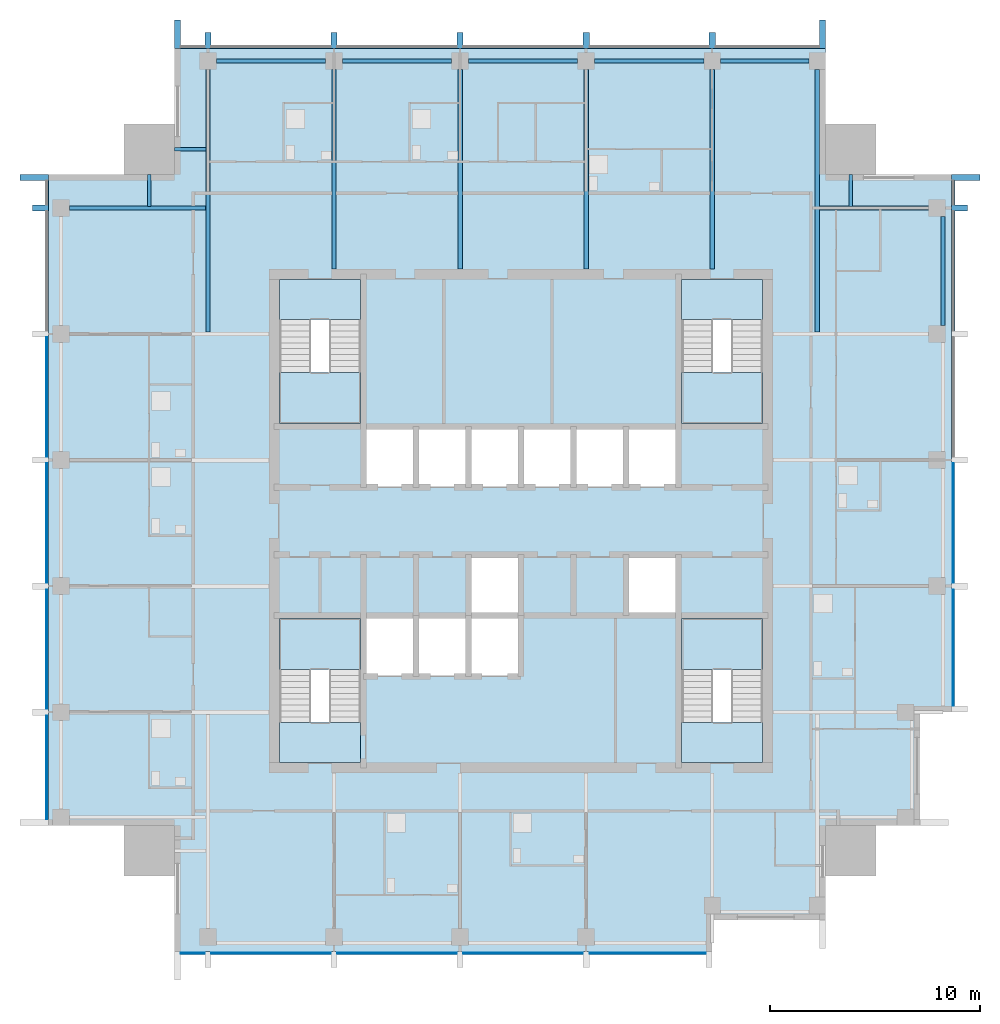
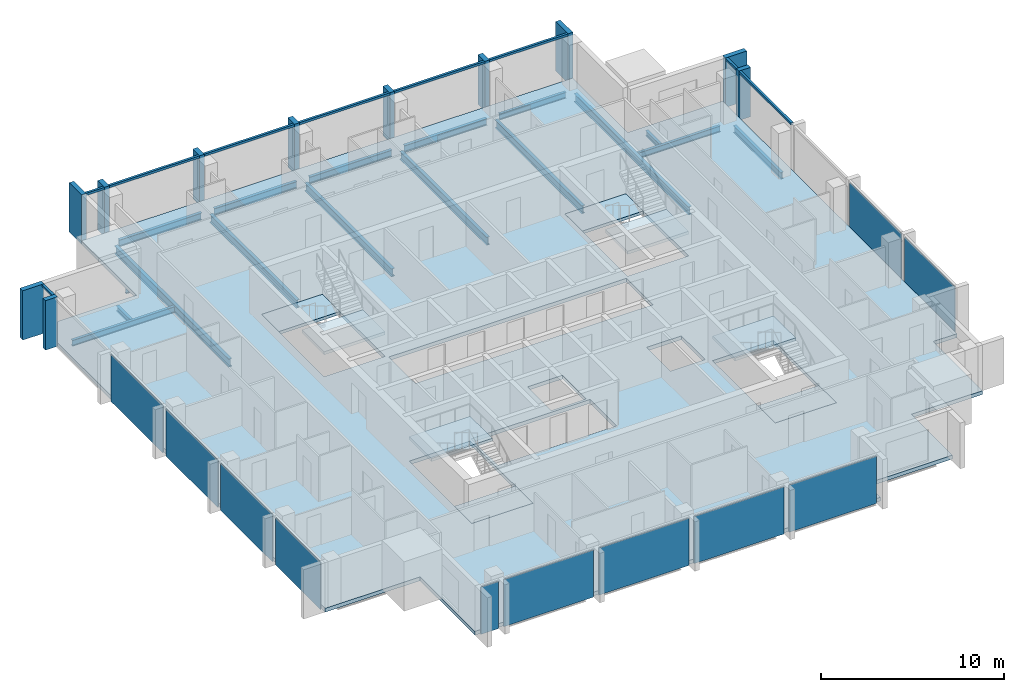
# One storey, part 2 of 9: 20 members, 17 beams, 11 plates, 9 slabs, 8 elements without a shape of their own.
"""IFC4 building model written with IfcOpenShell, lengths in metres."""

from ifc_helpers import new_model, si_unit, direction, frame, origin, origin_2d, place, context, subcontext, project, spatial, polyline, rectangle, i_section, outline, extrude, material, layer, layer_set, material_profile, profile_set, type_object, element, aggregate, save


model = new_model("IFC4")

# Units and contexts
model_context = context("Model", 3, precision=1e-05, world=origin(), true_north=direction((0.0, 1.0)))
body_context = subcontext(model_context, "Body", "Model", "MODEL_VIEW")
ifc_project = project(units=[si_unit("LENGTHUNIT", "METRE"), si_unit("AREAUNIT", "SQUARE_METRE"), si_unit("VOLUMEUNIT", "CUBIC_METRE"), si_unit("PLANEANGLEUNIT", "RADIAN"), si_unit("MASSUNIT", "GRAM", prefix="KILO")], contexts=[model_context])

# Site, building, storey
site_placement = place(None, origin())
site = spatial("IfcSite", under=ifc_project, at=site_placement, CompositionType="ELEMENT")
building_placement = place(site_placement, origin())
building = spatial("IfcBuilding", under=site, at=building_placement, Name="Amberfall Residences", CompositionType="ELEMENT")
storey_placement = place(building_placement, frame((0.0, 0.0, 252.10009765625)))
storey = spatial("IfcBuildingStorey", under=building, at=storey_placement, Name="L67", CompositionType="ELEMENT", Elevation=252.10009765625)

# Curtain wall, members
ifc_material_1 = material(Name="Bronze anodised aluminium and glass", Category="aluminium")
curtain_wall_type = type_object("IfcCurtainWallType", Name="Curtain wall CW1 tower unit", PredefinedType="USERDEFINED", material=ifc_material_1)
curtain_wall_1_placement = place(storey_placement, origin())
curtain_wall_1 = element("IfcCurtainWall", 1, at=curtain_wall_1_placement, inside=storey, type_object=curtain_wall_type, Name="Curtain wall L67 E E3", ObjectType="UNITISED CURTAIN WALL", PredefinedType="USERDEFINED")
ifc_material_2 = material(Name="Bronze anodised aluminium", Category="aluminium")
ifc_material_profile_1 = material_profile(ifc_material_2, rectangle(XDim=0.14990234375, YDim=0.14990234375, at=origin_2d()), Name="CW1 transom 150 x 150 bronze")
ifc_profile_set_1 = profile_set([ifc_material_profile_1], Name="Bronze anodised aluminium")
member_type_1 = type_object("IfcMemberType", Name="CW1 transom 150 x 150 bronze", PredefinedType="USERDEFINED", material=ifc_profile_set_1)
member_1_placement = place(storey_placement, frame((95.074951171875, 54.550048828125, 2.974853515625), z_axis=(0.0, 1.0, 0.0), x_axis=(-1.0, 0.0, 0.0)))
member_1 = element("IfcMember", 2, at=member_1_placement, type_object=member_type_1, Name="CW1 transom 4.1", ObjectType="TRANSOM", PredefinedType="USERDEFINED", context=body_context, shape_type="SweptSolid", body=[
    extrude(rectangle(XDim=0.14990234375, YDim=0.14990234375, at=origin_2d()), origin(), (0.0, 0.0, 1.0), 5.699951171875),
])
member_2_placement = place(storey_placement, frame((95.074951171875, 60.550048828125, 2.974853515625), z_axis=(0.0, 1.0, 0.0), x_axis=(-1.0, 0.0, 0.0)))
member_2 = element("IfcMember", 3, at=member_2_placement, type_object=member_type_1, Name="CW1 transom 5.1", ObjectType="TRANSOM", PredefinedType="USERDEFINED", context=body_context, shape_type="SweptSolid", body=[
    extrude(rectangle(XDim=0.14990234375, YDim=0.14990234375, at=origin_2d()), origin(), (0.0, 0.0, 1.0), 1.14990234375),
])

curtain_wall_2_placement = place(storey_placement, origin())
curtain_wall_2 = element("IfcCurtainWall", 4, at=curtain_wall_2_placement, inside=storey, type_object=curtain_wall_type, Name="Curtain wall L67 N N1", ObjectType="UNITISED CURTAIN WALL", PredefinedType="USERDEFINED")
member_3_placement = place(storey_placement, frame((88.699951171875, 68.074951171875, 2.974853515625), z_axis=(-1.0, 0.0, 0.0), x_axis=(0.0, -1.0, 0.0)))
member_3 = element("IfcMember", 5, at=member_3_placement, type_object=member_type_1, Name="CW1 transom 1.1", ObjectType="TRANSOM", PredefinedType="USERDEFINED", context=body_context, shape_type="SweptSolid", body=[
    extrude(rectangle(XDim=0.14990234375, YDim=0.14990234375, at=origin_2d()), origin(), (0.0, 0.0, 1.0), 4.949951171875),
])
member_4_placement = place(storey_placement, frame((83.449951171875, 68.074951171875, 2.974853515625), z_axis=(-1.0, 0.0, 0.0), x_axis=(0.0, -1.0, 0.0)))
member_4 = element("IfcMember", 6, at=member_4_placement, type_object=member_type_1, Name="CW1 transom 2.1", ObjectType="TRANSOM", PredefinedType="USERDEFINED", context=body_context, shape_type="SweptSolid", body=[
    extrude(rectangle(XDim=0.14990234375, YDim=0.14990234375, at=origin_2d()), origin(), (0.0, 0.0, 1.0), 5.699951171875),
])
member_5_placement = place(storey_placement, frame((77.449951171875, 68.074951171875, 2.974853515625), z_axis=(-1.0, 0.0, 0.0), x_axis=(0.0, -1.0, 0.0)))
member_5 = element("IfcMember", 7, at=member_5_placement, type_object=member_type_1, Name="CW1 transom 3.1", ObjectType="TRANSOM", PredefinedType="USERDEFINED", context=body_context, shape_type="SweptSolid", body=[
    extrude(rectangle(XDim=0.14990234375, YDim=0.14990234375, at=origin_2d()), origin(), (0.0, 0.0, 1.0), 5.699951171875),
])
member_6_placement = place(storey_placement, frame((71.449951171875, 68.074951171875, 2.974853515625), z_axis=(-1.0, 0.0, 0.0), x_axis=(0.0, -1.0, 0.0)))
member_6 = element("IfcMember", 8, at=member_6_placement, type_object=member_type_1, Name="CW1 transom 4.1", ObjectType="TRANSOM", PredefinedType="USERDEFINED", context=body_context, shape_type="SweptSolid", body=[
    extrude(rectangle(XDim=0.14990234375, YDim=0.14990234375, at=origin_2d()), origin(), (0.0, 0.0, 1.0), 5.699951171875),
])
member_7_placement = place(storey_placement, frame((65.449951171875, 68.074951171875, 2.974853515625), z_axis=(-1.0, 0.0, 0.0), x_axis=(0.0, -1.0, 0.0)))
member_7 = element("IfcMember", 9, at=member_7_placement, type_object=member_type_1, Name="CW1 transom 5.1", ObjectType="TRANSOM", PredefinedType="USERDEFINED", context=body_context, shape_type="SweptSolid", body=[
    extrude(rectangle(XDim=0.14990234375, YDim=0.14990234375, at=origin_2d()), origin(), (0.0, 0.0, 1.0), 5.699951171875),
])
member_8_placement = place(storey_placement, frame((59.449951171875, 68.074951171875, 2.974853515625), z_axis=(-1.0, 0.0, 0.0), x_axis=(0.0, -1.0, 0.0)))
member_8 = element("IfcMember", 10, at=member_8_placement, type_object=member_type_1, Name="CW1 transom 6.1", ObjectType="TRANSOM", PredefinedType="USERDEFINED", context=body_context, shape_type="SweptSolid", body=[
    extrude(rectangle(XDim=0.14990234375, YDim=0.14990234375, at=origin_2d()), origin(), (0.0, 0.0, 1.0), 1.14990234375),
])

# Curtain wall, member
curtain_wall_3_placement = place(storey_placement, origin())
curtain_wall_3 = element("IfcCurtainWall", 11, at=curtain_wall_3_placement, inside=storey, type_object=curtain_wall_type, Name="Curtain wall L67 W W1", ObjectType="UNITISED CURTAIN WALL", PredefinedType="USERDEFINED")
member_9_placement = place(storey_placement, frame((51.925048828125, 61.699951171875, 2.974853515625), z_axis=(0.0, -1.0, 0.0), x_axis=(1.0, 0.0, 0.0)))
member_9 = element("IfcMember", 12, at=member_9_placement, type_object=member_type_1, Name="CW1 transom 1.1", ObjectType="TRANSOM", PredefinedType="USERDEFINED", context=body_context, shape_type="SweptSolid", body=[
    extrude(rectangle(XDim=0.14990234375, YDim=0.14990234375, at=origin_2d()), origin(), (0.0, 0.0, 1.0), 1.14990234375),
])

# Member
ifc_material_profile_2 = material_profile(ifc_material_2, rectangle(XDim=1.35009765625, YDim=0.300048828125, at=origin_2d()), Name="Corner fin 300 x 1350 bronze")
ifc_profile_set_2 = profile_set([ifc_material_profile_2], Name="Bronze anodised aluminium")
member_type_2 = type_object("IfcMemberType", Name="Corner fin 300 x 1350 bronze", PredefinedType="MULLION", material=ifc_profile_set_2)
member_10_placement = place(storey_placement, frame((95.675048828125, 61.85009765625, -0.25), z_axis=(0.0, 0.0, 1.0), x_axis=(-1.0, 0.0, 0.0)))
member_10 = element("IfcMember", 13, at=member_10_placement, type_object=member_type_2, Name="CW FIN 6", PredefinedType="MULLION", context=body_context, shape_type="SweptSolid", body=[
    extrude(rectangle(XDim=1.35009765625, YDim=0.300048828125, at=origin_2d()), origin(), (0.0, 0.0, 1.0), 3.2998046875),
])

member_11_placement = place(storey_placement, frame((88.85009765625, 68.675048828125, -0.25), z_axis=(0.0, 0.0, 1.0), x_axis=(0.0, -1.0, 0.0)))
member_11 = element("IfcMember", 14, at=member_11_placement, type_object=member_type_2, Name="CW FIN 1", PredefinedType="MULLION", context=body_context, shape_type="SweptSolid", body=[
    extrude(rectangle(XDim=1.35009765625, YDim=0.300048828125, at=origin_2d()), origin(), (0.0, 0.0, 1.0), 3.2998046875),
])

member_12_placement = place(storey_placement, frame((58.14990234375, 68.675048828125, -0.25), z_axis=(0.0, 0.0, 1.0), x_axis=(0.0, -1.0, 0.0)))
member_12 = element("IfcMember", 15, at=member_12_placement, type_object=member_type_2, Name="CW FIN 7", PredefinedType="MULLION", context=body_context, shape_type="SweptSolid", body=[
    extrude(rectangle(XDim=1.35009765625, YDim=0.300048828125, at=origin_2d()), origin(), (0.0, 0.0, 1.0), 3.2998046875),
])

member_13_placement = place(storey_placement, frame((51.324951171875, 61.85009765625, -0.25), z_axis=(0.0, 0.0, 1.0), x_axis=(1.0, 0.0, 0.0)))
member_13 = element("IfcMember", 16, at=member_13_placement, type_object=member_type_2, Name="CW FIN 1", PredefinedType="MULLION", context=body_context, shape_type="SweptSolid", body=[
    extrude(rectangle(XDim=1.35009765625, YDim=0.300048828125, at=origin_2d()), origin(), (0.0, 0.0, 1.0), 3.2998046875),
])

# Beams
ifc_material_3 = material(Name="Steel S355", Category="steel")
ifc_material_profile_3 = material_profile(ifc_material_3, i_section(OverallWidth=0.177734375, OverallDepth=0.402587890625, WebThickness=0.0078125, FlangeThickness=0.010986328125, FilletRadius=0.01025390625, at=origin_2d()), Name="UB 406x178x54")
ifc_profile_set_3 = profile_set([ifc_material_profile_3], Name="Steel S355")
beam_type_1 = type_object("IfcBeamType", Name="Edge beam UB 406x178x54", PredefinedType="SPANDREL", material=ifc_profile_set_3)
beam_1_placement = place(storey_placement, frame((84.0, 67.39990234375, -0.451416015625), z_axis=(1.0, 0.0, 0.0), x_axis=(0.0, 1.0, 0.0)))
element("IfcBeam", 17, at=beam_1_placement, inside=storey, type_object=beam_type_1, Name="Edge beam B14 L67 29", PredefinedType="SPANDREL", context=body_context, shape_type="SweptSolid", body=[
    extrude(i_section(OverallWidth=0.177734375, OverallDepth=0.402587890625, WebThickness=0.0078125, FlangeThickness=0.010986328125, FilletRadius=0.01025390625, at=origin_2d()), origin(), (0.0, 0.0, 1.0), 4.199951171875),
])
ifc_material_profile_4 = material_profile(ifc_material_3, i_section(OverallWidth=0.18994140625, OverallDepth=0.453369140625, WebThickness=0.008544921875, FlangeThickness=0.0126953125, FilletRadius=0.01025390625, at=origin_2d()), Name="UB 457x191x67")
ifc_profile_set_4 = profile_set([ifc_material_profile_4], Name="Steel S355")
beam_type_2 = type_object("IfcBeamType", Name="Edge beam UB 457x191x67", PredefinedType="SPANDREL", material=ifc_profile_set_4)
for number, where, z_axis, x_axis, name in (
    (18, (94.60009765625, 54.800048828125, -0.476806640625), (0.0, 1.0, 0.0), (-1.0, 0.0, 0.0), "Edge beam B1 L67 17"),
    (19, (60.0, 67.39990234375, -0.476806640625), (1.0, 0.0, 0.0), (0.0, 1.0, 0.0), "Edge beam B1 L67 25"),
    (20, (66.0, 67.39990234375, -0.476806640625), (1.0, 0.0, 0.0), (0.0, 1.0, 0.0), "Edge beam B1 L67 26"),
    (21, (72.0, 67.39990234375, -0.476806640625), (1.0, 0.0, 0.0), (0.0, 1.0, 0.0), "Edge beam B1 L67 27"),
    (22, (78.0, 67.39990234375, -0.476806640625), (1.0, 0.0, 0.0), (0.0, 1.0, 0.0), "Edge beam B1 L67 28"),
):
    element("IfcBeam", number, at=place(storey_placement, frame(where, z_axis=z_axis, x_axis=x_axis)), inside=storey, type_object=beam_type_2, Name=name, PredefinedType="SPANDREL", context=body_context, shape_type="SweptSolid", body=[
        extrude(i_section(OverallWidth=0.18994140625, OverallDepth=0.453369140625, WebThickness=0.008544921875, FlangeThickness=0.0126953125, FilletRadius=0.01025390625, at=origin_2d()), origin(), (0.0, 0.0, 1.0), 5.199951171875),
    ])

# Member
ifc_material_profile_5 = material_profile(ifc_material_2, rectangle(XDim=0.75, YDim=0.300048828125, at=origin_2d()), Name="Fin 300 x 750 bronze")
ifc_profile_set_5 = profile_set([ifc_material_profile_5], Name="Bronze anodised aluminium")
member_type_3 = type_object("IfcMemberType", Name="Fin 300 x 750 bronze", PredefinedType="MULLION", material=ifc_profile_set_5)
member_14_placement = place(storey_placement, frame((95.375, 60.39990234375, -0.25), z_axis=(0.0, 0.0, 1.0), x_axis=(-1.0, 0.0, 0.0)))
member_14 = element("IfcMember", 23, at=member_14_placement, type_object=member_type_3, Name="CW FIN 5", PredefinedType="MULLION", context=body_context, shape_type="SweptSolid", body=[
    extrude(rectangle(XDim=0.75, YDim=0.300048828125, at=origin_2d()), origin(), (0.0, 0.0, 1.0), 3.2998046875),
])

member_15_placement = place(storey_placement, frame((83.60009765625, 68.375, -0.25), z_axis=(0.0, 0.0, 1.0), x_axis=(0.0, -1.0, 0.0)))
member_15 = element("IfcMember", 24, at=member_15_placement, type_object=member_type_3, Name="CW FIN 2", PredefinedType="MULLION", context=body_context, shape_type="SweptSolid", body=[
    extrude(rectangle(XDim=0.75, YDim=0.300048828125, at=origin_2d()), origin(), (0.0, 0.0, 1.0), 3.2998046875),
])

member_16_placement = place(storey_placement, frame((77.60009765625, 68.375, -0.25), z_axis=(0.0, 0.0, 1.0), x_axis=(0.0, -1.0, 0.0)))
member_16 = element("IfcMember", 25, at=member_16_placement, type_object=member_type_3, Name="CW FIN 3", PredefinedType="MULLION", context=body_context, shape_type="SweptSolid", body=[
    extrude(rectangle(XDim=0.75, YDim=0.300048828125, at=origin_2d()), origin(), (0.0, 0.0, 1.0), 3.2998046875),
])

member_17_placement = place(storey_placement, frame((71.60009765625, 68.375, -0.25), z_axis=(0.0, 0.0, 1.0), x_axis=(0.0, -1.0, 0.0)))
member_17 = element("IfcMember", 26, at=member_17_placement, type_object=member_type_3, Name="CW FIN 4", PredefinedType="MULLION", context=body_context, shape_type="SweptSolid", body=[
    extrude(rectangle(XDim=0.75, YDim=0.300048828125, at=origin_2d()), origin(), (0.0, 0.0, 1.0), 3.2998046875),
])

member_18_placement = place(storey_placement, frame((65.60009765625, 68.375, -0.25), z_axis=(0.0, 0.0, 1.0), x_axis=(0.0, -1.0, 0.0)))
member_18 = element("IfcMember", 27, at=member_18_placement, type_object=member_type_3, Name="CW FIN 5", PredefinedType="MULLION", context=body_context, shape_type="SweptSolid", body=[
    extrude(rectangle(XDim=0.75, YDim=0.300048828125, at=origin_2d()), origin(), (0.0, 0.0, 1.0), 3.2998046875),
])

member_19_placement = place(storey_placement, frame((59.60009765625, 68.375, -0.25), z_axis=(0.0, 0.0, 1.0), x_axis=(0.0, -1.0, 0.0)))
member_19 = element("IfcMember", 28, at=member_19_placement, type_object=member_type_3, Name="CW FIN 6", PredefinedType="MULLION", context=body_context, shape_type="SweptSolid", body=[
    extrude(rectangle(XDim=0.75, YDim=0.300048828125, at=origin_2d()), origin(), (0.0, 0.0, 1.0), 3.2998046875),
])

aggregate(curtain_wall_2, [member_11, member_15, member_16, member_17, member_18, member_19, member_12, member_3, member_4, member_5, member_6, member_7, member_8])

member_20_placement = place(storey_placement, frame((51.625, 60.39990234375, -0.25), z_axis=(0.0, 0.0, 1.0), x_axis=(1.0, 0.0, 0.0)))
member_20 = element("IfcMember", 29, at=member_20_placement, type_object=member_type_3, Name="CW FIN 2", PredefinedType="MULLION", context=body_context, shape_type="SweptSolid", body=[
    extrude(rectangle(XDim=0.75, YDim=0.300048828125, at=origin_2d()), origin(), (0.0, 0.0, 1.0), 3.2998046875),
])

# Beams
ifc_material_profile_6 = material_profile(ifc_material_3, i_section(OverallWidth=0.177734375, OverallDepth=0.402587890625, WebThickness=0.0078125, FlangeThickness=0.010986328125, FilletRadius=0.01025390625, at=origin_2d()), Name="UB 406x178x54")
ifc_profile_set_6 = profile_set([ifc_material_profile_6], Name="Steel S355")
beam_type_3 = type_object("IfcBeamType", Name="Floor girder UB 406x178x54", PredefinedType="BEAM", material=ifc_profile_set_6)
beam_2_placement = place(storey_placement, frame((93.89990234375, 60.39990234375, -0.451416015625), z_axis=(-1.0, 0.0, 0.0), x_axis=(0.0, -1.0, 0.0)))
element("IfcBeam", 30, at=beam_2_placement, inside=storey, type_object=beam_type_3, Name="Floor girder B4 L67 24", PredefinedType="BEAM", context=body_context, shape_type="SweptSolid", body=[
    extrude(i_section(OverallWidth=0.177734375, OverallDepth=0.402587890625, WebThickness=0.0078125, FlangeThickness=0.010986328125, FilletRadius=0.01025390625, at=origin_2d()), origin(), (0.0, 0.0, 1.0), 5.179931640625),
])
beam_3_placement = place(storey_placement, frame((53.0, 60.39990234375, -0.451416015625), z_axis=(1.0, 0.0, 0.0), x_axis=(0.0, 1.0, 0.0)))
element("IfcBeam", 31, at=beam_3_placement, inside=storey, type_object=beam_type_3, Name="Floor girder B4 L67 46", PredefinedType="BEAM", context=body_context, shape_type="SweptSolid", body=[
    extrude(i_section(OverallWidth=0.177734375, OverallDepth=0.402587890625, WebThickness=0.0078125, FlangeThickness=0.010986328125, FilletRadius=0.01025390625, at=origin_2d()), origin(), (0.0, 0.0, 1.0), 6.47998046875),
])
ifc_material_profile_7 = material_profile(ifc_material_3, i_section(OverallWidth=0.210693359375, OverallDepth=0.53955078125, WebThickness=0.01171875, FlangeThickness=0.018798828125, FilletRadius=0.0126953125, at=origin_2d()), Name="UB 533x210x109")
ifc_profile_set_7 = profile_set([ifc_material_profile_7], Name="Steel S355")
beam_type_4 = type_object("IfcBeamType", Name="Floor girder UB 533x210x109", PredefinedType="BEAM", material=ifc_profile_set_7)
beam_4_placement = place(storey_placement, frame((59.60009765625, 67.0, -0.519775390625), z_axis=(0.0, -1.0, 0.0), x_axis=(1.0, 0.0, 0.0)))
element("IfcBeam", 32, at=beam_4_placement, inside=storey, type_object=beam_type_4, Name="Floor girder B2 L67 30", PredefinedType="BEAM", context=body_context, shape_type="SweptSolid", body=[
    extrude(i_section(OverallWidth=0.210693359375, OverallDepth=0.53955078125, WebThickness=0.01171875, FlangeThickness=0.018798828125, FilletRadius=0.0126953125, at=origin_2d()), origin(), (0.0, 0.0, 1.0), 12.50048828125),
])
beam_5_placement = place(storey_placement, frame((88.60009765625, 67.0, -0.519775390625), z_axis=(0.0, -1.0, 0.0), x_axis=(1.0, 0.0, 0.0)))
element("IfcBeam", 33, at=beam_5_placement, inside=storey, type_object=beam_type_4, Name="Floor girder B2 L67 35", PredefinedType="BEAM", context=body_context, shape_type="SweptSolid", body=[
    extrude(i_section(OverallWidth=0.210693359375, OverallDepth=0.53955078125, WebThickness=0.01171875, FlangeThickness=0.018798828125, FilletRadius=0.0126953125, at=origin_2d()), origin(), (0.0, 0.0, 1.0), 12.509521484375),
])
ifc_material_profile_8 = material_profile(ifc_material_3, i_section(OverallWidth=0.209228515625, OverallDepth=0.533203125, WebThickness=0.010009765625, FlangeThickness=0.015625, FilletRadius=0.0126953125, at=origin_2d()), Name="UB 533x210x92")
ifc_profile_set_8 = profile_set([ifc_material_profile_8], Name="Steel S355")
beam_type_5 = type_object("IfcBeamType", Name="Floor girder UB 533x210x92", PredefinedType="BEAM", material=ifc_profile_set_8)
for number, where, z_axis, x_axis, name in (
    (34, (65.60009765625, 67.0, -0.5166015625), (0.0, -1.0, 0.0), (1.0, 0.0, 0.0), "Floor girder B3 L67 31"),
    (35, (71.60009765625, 67.0, -0.5166015625), (0.0, -1.0, 0.0), (1.0, 0.0, 0.0), "Floor girder B3 L67 32"),
    (36, (77.60009765625, 67.0, -0.5166015625), (0.0, -1.0, 0.0), (1.0, 0.0, 0.0), "Floor girder B3 L67 33"),
    (37, (83.60009765625, 67.0, -0.5166015625), (0.0, -1.0, 0.0), (1.0, 0.0, 0.0), "Floor girder B3 L67 34"),
):
    element("IfcBeam", number, at=place(storey_placement, frame(where, z_axis=z_axis, x_axis=x_axis)), inside=storey, type_object=beam_type_5, Name=name, PredefinedType="BEAM", context=body_context, shape_type="SweptSolid", body=[
        extrude(i_section(OverallWidth=0.209228515625, OverallDepth=0.533203125, WebThickness=0.010009765625, FlangeThickness=0.015625, FilletRadius=0.0126953125, at=origin_2d()), origin(), (0.0, 0.0, 1.0), 9.5),
    ])
ifc_material_profile_9 = material_profile(ifc_material_3, i_section(OverallWidth=0.171142578125, OverallDepth=0.351318359375, WebThickness=0.007080078125, FlangeThickness=0.009765625, FilletRadius=0.01025390625, at=origin_2d()), Name="UB 356x171x45")
ifc_profile_set_9 = profile_set([ifc_material_profile_9], Name="Steel S355")
beam_type_6 = type_object("IfcBeamType", Name="Link beam UB 356x171x45", PredefinedType="BEAM", material=ifc_profile_set_9)
beam_6_placement = place(storey_placement, frame((90.199951171875, 62.0, -0.42578125), z_axis=(0.0, -1.0, 0.0), x_axis=(1.0, 0.0, 0.0)))
element("IfcBeam", 38, at=beam_6_placement, inside=storey, type_object=beam_type_6, Name="Link beam B7 L67 48", PredefinedType="BEAM", context=body_context, shape_type="SweptSolid", body=[
    extrude(i_section(OverallWidth=0.171142578125, OverallDepth=0.351318359375, WebThickness=0.007080078125, FlangeThickness=0.009765625, FilletRadius=0.01025390625, at=origin_2d()), origin(), (0.0, 0.0, 1.0), 1.52099609375),
])
beam_7_placement = place(storey_placement, frame((58.0, 63.199951171875, -0.42578125), z_axis=(1.0, 0.0, 0.0), x_axis=(0.0, 1.0, 0.0)))
element("IfcBeam", 39, at=beam_7_placement, inside=storey, type_object=beam_type_6, Name="Link beam B7 L67 49", PredefinedType="BEAM", context=body_context, shape_type="SweptSolid", body=[
    extrude(i_section(OverallWidth=0.171142578125, OverallDepth=0.351318359375, WebThickness=0.007080078125, FlangeThickness=0.009765625, FilletRadius=0.01025390625, at=origin_2d()), origin(), (0.0, 0.0, 1.0), 1.504638671875),
])
beam_8_placement = place(storey_placement, frame((56.800048828125, 62.0, -0.42578125), z_axis=(0.0, -1.0, 0.0), x_axis=(1.0, 0.0, 0.0)))
element("IfcBeam", 40, at=beam_8_placement, inside=storey, type_object=beam_type_6, Name="Link beam B7 L67 50", PredefinedType="BEAM", context=body_context, shape_type="SweptSolid", body=[
    extrude(i_section(OverallWidth=0.171142578125, OverallDepth=0.351318359375, WebThickness=0.007080078125, FlangeThickness=0.009765625, FilletRadius=0.01025390625, at=origin_2d()), origin(), (0.0, 0.0, 1.0), 1.52099609375),
])

# Curtain wall, plates
curtain_wall_4_placement = place(storey_placement, origin())
curtain_wall_4 = element("IfcCurtainWall", 41, at=curtain_wall_4_placement, inside=storey, type_object=curtain_wall_type, Name="Curtain wall L67 S S1", ObjectType="UNITISED CURTAIN WALL", PredefinedType="USERDEFINED")
ifc_material_4 = material(Name="Tinted double glazed unit", Category="glass")
ifc_layer_1 = layer(ifc_material_4, 0.035888671875)
ifc_layer_set_1 = layer_set([ifc_layer_1], Name="CW1 panel 36 glazing")
plate_type = type_object("IfcPlateType", Name="CW1 panel 36 glazing", PredefinedType="CURTAIN_PANEL", material=ifc_layer_set_1)
plate_1_placement = place(storey_placement, frame((58.875, 24.925048828125, -0.25), z_axis=(0.0, 0.0, 1.0), x_axis=(1.0, 0.0, 0.0)))
plate_1 = element("IfcPlate", 42, at=plate_1_placement, type_object=plate_type, Name="CW1 panel 1.1", PredefinedType="CURTAIN_PANEL", context=body_context, shape_type="SweptSolid", body=[
    extrude(rectangle(XDim=1.1259765625, YDim=0.035888671875, at=origin_2d()), origin(), (0.0, 0.0, 1.0), 3.14990234375),
])
plate_2_placement = place(storey_placement, frame((62.60009765625, 24.925048828125, -0.25), z_axis=(0.0, 0.0, 1.0), x_axis=(1.0, 0.0, 0.0)))
plate_2 = element("IfcPlate", 43, at=plate_2_placement, type_object=plate_type, Name="CW1 panel 2.1", PredefinedType="CURTAIN_PANEL", context=body_context, shape_type="SweptSolid", body=[
    extrude(rectangle(XDim=5.676025390625, YDim=0.035888671875, at=origin_2d()), origin(), (0.0, 0.0, 1.0), 3.14990234375),
])
plate_3_placement = place(storey_placement, frame((68.60009765625, 24.925048828125, -0.25), z_axis=(0.0, 0.0, 1.0), x_axis=(1.0, 0.0, 0.0)))
plate_3 = element("IfcPlate", 44, at=plate_3_placement, type_object=plate_type, Name="CW1 panel 3.1", PredefinedType="CURTAIN_PANEL", context=body_context, shape_type="SweptSolid", body=[
    extrude(rectangle(XDim=5.676025390625, YDim=0.035888671875, at=origin_2d()), origin(), (0.0, 0.0, 1.0), 3.14990234375),
])
plate_4_placement = place(storey_placement, frame((74.60009765625, 24.925048828125, -0.25), z_axis=(0.0, 0.0, 1.0), x_axis=(1.0, 0.0, 0.0)))
plate_4 = element("IfcPlate", 45, at=plate_4_placement, type_object=plate_type, Name="CW1 panel 4.1", PredefinedType="CURTAIN_PANEL", context=body_context, shape_type="SweptSolid", body=[
    extrude(rectangle(XDim=5.676025390625, YDim=0.035888671875, at=origin_2d()), origin(), (0.0, 0.0, 1.0), 3.14990234375),
])
plate_5_placement = place(storey_placement, frame((80.52490234375, 24.925048828125, -0.25), z_axis=(0.0, 0.0, 1.0), x_axis=(1.0, 0.0, 0.0)))
plate_5 = element("IfcPlate", 46, at=plate_5_placement, type_object=plate_type, Name="CW1 panel 5.1", PredefinedType="CURTAIN_PANEL", context=body_context, shape_type="SweptSolid", body=[
    extrude(rectangle(XDim=5.52587890625, YDim=0.035888671875, at=origin_2d()), origin(), (0.0, 0.0, 1.0), 3.14990234375),
])
aggregate(curtain_wall_4, [plate_1, plate_2, plate_3, plate_4, plate_5])

# Plate
plate_6_placement = place(storey_placement, frame((95.074951171875, 39.47509765625, -0.25), z_axis=(0.0, 0.0, 1.0), x_axis=(0.0, 1.0, 0.0)))
plate_6 = element("IfcPlate", 47, at=plate_6_placement, type_object=plate_type, Name="CW1 panel 1.1", PredefinedType="CURTAIN_PANEL", context=body_context, shape_type="SweptSolid", body=[
    extrude(rectangle(XDim=5.52587890625, YDim=0.035888671875, at=origin_2d()), origin(), (0.0, 0.0, 1.0), 3.14990234375),
])

plate_7_placement = place(storey_placement, frame((95.074951171875, 45.39990234375, -0.25), z_axis=(0.0, 0.0, 1.0), x_axis=(0.0, 1.0, 0.0)))
plate_7 = element("IfcPlate", 48, at=plate_7_placement, type_object=plate_type, Name="CW1 panel 2.1", PredefinedType="CURTAIN_PANEL", context=body_context, shape_type="SweptSolid", body=[
    extrude(rectangle(XDim=5.676025390625, YDim=0.035888671875, at=origin_2d()), origin(), (0.0, 0.0, 1.0), 3.14990234375),
])

aggregate(curtain_wall_1, [member_14, member_10, plate_6, plate_7, member_1, member_2])

plate_8_placement = place(storey_placement, frame((51.925048828125, 51.39990234375, -0.25), z_axis=(0.0, 0.0, 1.0), x_axis=(0.0, -1.0, 0.0)))
plate_8 = element("IfcPlate", 49, at=plate_8_placement, type_object=plate_type, Name="CW1 panel 3.1", PredefinedType="CURTAIN_PANEL", context=body_context, shape_type="SweptSolid", body=[
    extrude(rectangle(XDim=5.676025390625, YDim=0.035888671875, at=origin_2d()), origin(), (0.0, 0.0, 1.0), 3.14990234375),
])

plate_9_placement = place(storey_placement, frame((51.925048828125, 45.39990234375, -0.25), z_axis=(0.0, 0.0, 1.0), x_axis=(0.0, -1.0, 0.0)))
plate_9 = element("IfcPlate", 50, at=plate_9_placement, type_object=plate_type, Name="CW1 panel 4.1", PredefinedType="CURTAIN_PANEL", context=body_context, shape_type="SweptSolid", body=[
    extrude(rectangle(XDim=5.676025390625, YDim=0.035888671875, at=origin_2d()), origin(), (0.0, 0.0, 1.0), 3.14990234375),
])

plate_10_placement = place(storey_placement, frame((51.925048828125, 39.39990234375, -0.25), z_axis=(0.0, 0.0, 1.0), x_axis=(0.0, -1.0, 0.0)))
plate_10 = element("IfcPlate", 51, at=plate_10_placement, type_object=plate_type, Name="CW1 panel 5.1", PredefinedType="CURTAIN_PANEL", context=body_context, shape_type="SweptSolid", body=[
    extrude(rectangle(XDim=5.676025390625, YDim=0.035888671875, at=origin_2d()), origin(), (0.0, 0.0, 1.0), 3.14990234375),
])

plate_11_placement = place(storey_placement, frame((51.925048828125, 33.77490234375, -0.25), z_axis=(0.0, 0.0, 1.0), x_axis=(0.0, -1.0, 0.0)))
plate_11 = element("IfcPlate", 52, at=plate_11_placement, type_object=plate_type, Name="CW1 panel 6.1", PredefinedType="CURTAIN_PANEL", context=body_context, shape_type="SweptSolid", body=[
    extrude(rectangle(XDim=4.926025390625, YDim=0.035888671875, at=origin_2d()), origin(), (0.0, 0.0, 1.0), 3.14990234375),
])

aggregate(curtain_wall_3, [member_13, member_20, member_9, plate_8, plate_9, plate_10, plate_11])

# Slab
ifc_material_5 = material(Name="Concrete C50", Category="concrete")
ifc_layer_2 = layer(ifc_material_5, 0.25)
ifc_layer_set_2 = layer_set([ifc_layer_2], Name="Floor slab 250 C50")
slab_type_1 = type_object("IfcSlabType", Name="Floor slab 250 C50", PredefinedType="FLOOR", material=ifc_layer_set_2)
slab_1_placement = place(storey_placement, frame((0.0, 0.0, -0.25)))
element("IfcSlab", 53, at=slab_1_placement, inside=storey, type_object=slab_type_1, Name="Floor slab S19 L67", PredefinedType="FLOOR", context=body_context, shape_type="SweptSolid", body=[
    extrude(outline(polyline([(83.60009765625, 26.5), (83.60009765625, 25.0), (58.0, 25.0), (58.0, 31.0), (52.0, 31.0), (52.0, 62.0), (58.0, 62.0), (58.0, 68.0), (89.0, 68.0), (89.0, 62.0), (95.0, 62.0), (95.0, 36.39990234375), (93.5, 36.39990234375), (93.5, 31.0), (89.0, 31.0), (89.0, 26.5), (83.60009765625, 26.5)]), holes=[polyline([(86.0, 34.0), (86.0, 40.85009765625), (82.14990234375, 40.85009765625), (82.14990234375, 34.0), (86.0, 34.0)]), polyline([(86.0, 50.14990234375), (86.0, 57.0), (82.14990234375, 57.0), (82.14990234375, 50.14990234375), (86.0, 50.14990234375)]), polyline([(72.0, 50.0), (69.5, 50.0), (67.0, 50.0), (67.0, 47.10009765625), (69.5, 47.10009765625), (72.0, 47.10009765625), (74.5, 47.10009765625), (77.0, 47.10009765625), (79.5, 47.10009765625), (82.0, 47.10009765625), (82.0, 50.0), (79.5, 50.0), (77.0, 50.0), (74.5, 50.0), (72.0, 50.0)]), polyline([(81.85009765625, 41.14990234375), (81.85009765625, 43.75), (79.64990234375, 43.75), (79.64990234375, 41.14990234375), (81.85009765625, 41.14990234375)]), polyline([(69.5, 41.0), (67.0, 41.0), (67.0, 38.10009765625), (69.5, 38.10009765625), (72.0, 38.10009765625), (74.5, 38.10009765625), (74.5, 41.0), (72.0, 41.0), (69.5, 41.0)]), polyline([(74.35009765625, 41.14990234375), (74.35009765625, 43.75), (72.14990234375, 43.75), (72.14990234375, 41.14990234375), (74.35009765625, 41.14990234375)]), polyline([(66.85009765625, 50.14990234375), (66.85009765625, 57.0), (63.0, 57.0), (63.0, 50.14990234375), (66.85009765625, 50.14990234375)]), polyline([(66.85009765625, 40.85009765625), (63.0, 40.85009765625), (63.0, 34.0), (66.85009765625, 34.0), (66.85009765625, 40.85009765625)])]), origin(), (0.0, 0.0, 1.0), 0.25),
])

# Stair, slabs
ifc_material_6 = material(Name="Concrete C40", Category="concrete")
stair_type = type_object("IfcStairType", Name="Exit stair 20 risers 165.0 mm", PredefinedType="HALF_TURN_STAIR", material=ifc_material_6)
stair_1_placement = place(storey_placement, origin())
stair_1 = element("IfcStair", 54, at=stair_1_placement, inside=storey, type_object=stair_type, Name="L67 Exit stair 1", PredefinedType="HALF_TURN_STAIR")
ifc_layer_3 = layer(ifc_material_6, 0.199951171875)
ifc_layer_set_3 = layer_set([ifc_layer_3], Name="Stair landing 200")
slab_type_2 = type_object("IfcSlabType", Name="Stair landing 200", PredefinedType="LANDING", material=ifc_layer_set_3)
slab_2_placement = place(storey_placement, frame((0.0, 0.0, 1.449951171875)))
slab_2 = element("IfcSlab", 55, at=slab_2_placement, type_object=slab_type_2, Name="ST3 landing 1", PredefinedType="LANDING", context=body_context, shape_type="SweptSolid", body=[
    extrude(outline(polyline([(66.85009765625, 38.419921875), (66.85009765625, 40.85009765625), (63.0, 40.85009765625), (63.0, 38.419921875), (66.85009765625, 38.419921875)])), origin(), (0.0, 0.0, 1.0), 0.199951171875),
])
slab_3_placement = place(storey_placement, frame((0.0, 0.0, -0.2001953125)))
slab_3 = element("IfcSlab", 56, at=slab_3_placement, type_object=slab_type_2, Name="ST3 landing 2", PredefinedType="LANDING", context=body_context, shape_type="SweptSolid", body=[
    extrude(outline(polyline([(66.85009765625, 34.0), (66.85009765625, 35.89990234375), (63.0, 35.89990234375), (63.0, 34.0), (66.85009765625, 34.0)])), origin(), (0.0, 0.0, 1.0), 0.2001953125),
])
aggregate(stair_1, [slab_2, slab_3])

stair_2_placement = place(storey_placement, origin())
stair_2 = element("IfcStair", 57, at=stair_2_placement, inside=storey, type_object=stair_type, Name="L67 Exit stair 2", PredefinedType="HALF_TURN_STAIR")
slab_4_placement = place(storey_placement, frame((0.0, 0.0, 1.449951171875)))
slab_4 = element("IfcSlab", 58, at=slab_4_placement, type_object=slab_type_2, Name="ST3 landing 1", PredefinedType="LANDING", context=body_context, shape_type="SweptSolid", body=[
    extrude(outline(polyline([(86.0, 38.419921875), (86.0, 40.85009765625), (82.14990234375, 40.85009765625), (82.14990234375, 38.419921875), (86.0, 38.419921875)])), origin(), (0.0, 0.0, 1.0), 0.199951171875),
])
slab_5_placement = place(storey_placement, frame((0.0, 0.0, -0.2001953125)))
slab_5 = element("IfcSlab", 59, at=slab_5_placement, type_object=slab_type_2, Name="ST3 landing 2", PredefinedType="LANDING", context=body_context, shape_type="SweptSolid", body=[
    extrude(outline(polyline([(86.0, 34.0), (86.0, 35.89990234375), (82.14990234375, 35.89990234375), (82.14990234375, 34.0), (86.0, 34.0)])), origin(), (0.0, 0.0, 1.0), 0.2001953125),
])
aggregate(stair_2, [slab_4, slab_5])

stair_3_placement = place(storey_placement, origin())
stair_3 = element("IfcStair", 60, at=stair_3_placement, inside=storey, type_object=stair_type, Name="L67 Exit stair 3", PredefinedType="HALF_TURN_STAIR")
slab_6_placement = place(storey_placement, frame((0.0, 0.0, 1.449951171875)))
slab_6 = element("IfcSlab", 61, at=slab_6_placement, type_object=slab_type_2, Name="ST3 landing 1", PredefinedType="LANDING", context=body_context, shape_type="SweptSolid", body=[
    extrude(outline(polyline([(82.14990234375, 52.580078125), (82.14990234375, 50.14990234375), (86.0, 50.14990234375), (86.0, 52.580078125), (82.14990234375, 52.580078125)])), origin(), (0.0, 0.0, 1.0), 0.199951171875),
])
slab_7_placement = place(storey_placement, frame((0.0, 0.0, -0.2001953125)))
slab_7 = element("IfcSlab", 62, at=slab_7_placement, type_object=slab_type_2, Name="ST3 landing 2", PredefinedType="LANDING", context=body_context, shape_type="SweptSolid", body=[
    extrude(outline(polyline([(82.14990234375, 57.0), (82.14990234375, 55.10009765625), (86.0, 55.10009765625), (86.0, 57.0), (82.14990234375, 57.0)])), origin(), (0.0, 0.0, 1.0), 0.2001953125),
])
aggregate(stair_3, [slab_6, slab_7])

stair_4_placement = place(storey_placement, origin())
stair_4 = element("IfcStair", 63, at=stair_4_placement, inside=storey, type_object=stair_type, Name="L67 Exit stair 4", PredefinedType="HALF_TURN_STAIR")
slab_8_placement = place(storey_placement, frame((0.0, 0.0, 1.449951171875)))
slab_8 = element("IfcSlab", 64, at=slab_8_placement, type_object=slab_type_2, Name="ST3 landing 1", PredefinedType="LANDING", context=body_context, shape_type="SweptSolid", body=[
    extrude(outline(polyline([(63.0, 52.580078125), (63.0, 50.14990234375), (66.85009765625, 50.14990234375), (66.85009765625, 52.580078125), (63.0, 52.580078125)])), origin(), (0.0, 0.0, 1.0), 0.199951171875),
])
slab_9_placement = place(storey_placement, frame((0.0, 0.0, -0.2001953125)))
slab_9 = element("IfcSlab", 65, at=slab_9_placement, type_object=slab_type_2, Name="ST3 landing 2", PredefinedType="LANDING", context=body_context, shape_type="SweptSolid", body=[
    extrude(outline(polyline([(63.0, 57.0), (63.0, 55.10009765625), (66.85009765625, 55.10009765625), (66.85009765625, 57.0), (63.0, 57.0)])), origin(), (0.0, 0.0, 1.0), 0.2001953125),
])
aggregate(stair_4, [slab_8, slab_9])

save(model, "model.ifc")
